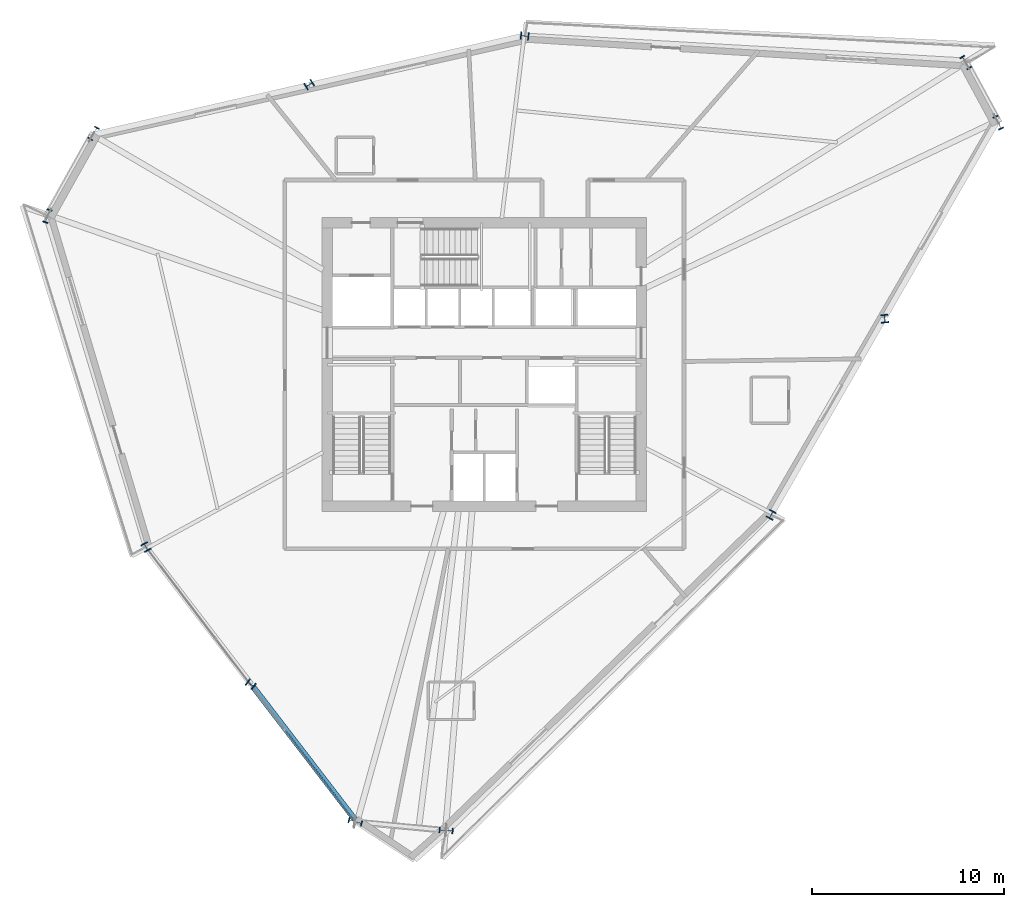
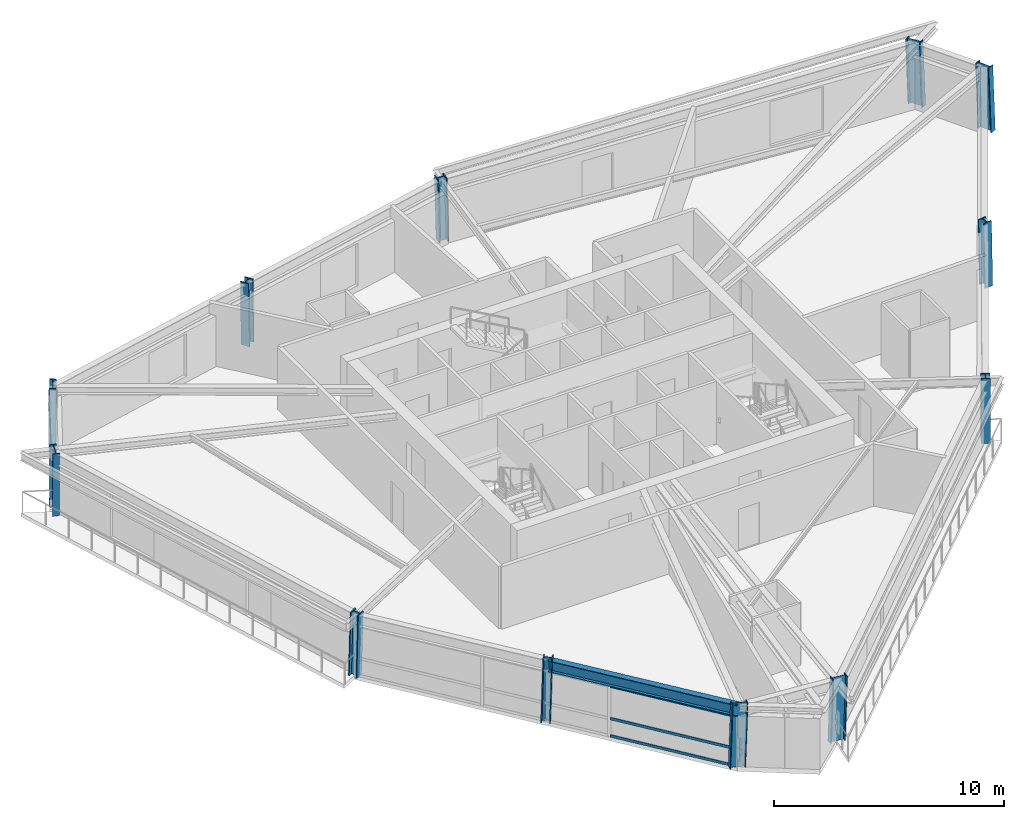
# One storey, part 1 of 14: 12 columns, 3 members, 1 beam, 1 element without a shape of its own.
"""IFC4 building model written with IfcOpenShell, lengths in metres."""

from ifc_helpers import new_model, si_unit, direction, frame, origin, origin_2d, place, context, subcontext, project, spatial, hollow_rectangle, i_section, extrude, source, transform, mapped, material, material_profile, profile_set, type_object, element, aggregate, save


model = new_model("IFC4")

# Units and contexts
model_context = context("Model", 3, precision=1e-05, world=origin(), true_north=direction((0.0, 1.0)))
body_context = subcontext(model_context, "Body", "Model", "MODEL_VIEW")
ifc_project = project(units=[si_unit("LENGTHUNIT", "METRE"), si_unit("AREAUNIT", "SQUARE_METRE"), si_unit("VOLUMEUNIT", "CUBIC_METRE"), si_unit("PLANEANGLEUNIT", "RADIAN"), si_unit("MASSUNIT", "GRAM", prefix="KILO")], contexts=[model_context])

# Site, building, storey
site_placement = place(None, origin())
site = spatial("IfcSite", under=ifc_project, at=site_placement, CompositionType="ELEMENT")
building_placement = place(site_placement, origin())
building = spatial("IfcBuilding", under=site, at=building_placement, Name="Olszyna Solenne Hotel", CompositionType="ELEMENT")
storey_placement = place(building_placement, frame((0.0, 0.0, 153.699951171875)))
storey = spatial("IfcBuildingStorey", under=building, at=storey_placement, Name="L40", CompositionType="ELEMENT", Elevation=153.699951171875)

# Columns
ifc_material_1 = material(Name="Steel S460M", Category="steel")
ifc_material_profile_1 = material_profile(ifc_material_1, i_section(OverallWidth=0.303955078125, OverallDepth=0.716064453125, WebThickness=0.02099609375, FlangeThickness=0.0400390625, at=origin_2d()), Name="HEM 700", Category="load-bearing")
ifc_profile_set_1 = profile_set([ifc_material_profile_1], Name="Steel S460M")
column_type_1 = type_object("IfcColumnType", Name="COL-K2", PredefinedType="COLUMN", material=ifc_profile_set_1)
shared_shape_1 = source(origin(), body_context, "Body", "SweptSolid", [
    extrude(i_section(OverallWidth=0.303955078125, OverallDepth=0.716064453125, WebThickness=0.02099609375, FlangeThickness=0.0400390625, at=origin_2d()), origin(), (0.0, 0.0, 1.0), 3.38671875),
])
for number, where, z_axis, x_axis, name in (
    (1, (15.24853515625, 34.34521484375, 0.0), (-0.0098762592, -0.029340419668, 0.999520684767), (0.947747735275, -0.319020736444, 0.0), "Perimeter framed-tube column COL-K2 C-L40-06"),
    (2, (31.2568359375, 2.79296875, 0.0), (0.030709224628, -0.008578398429, 0.99949154804), (0.26904285575, 0.9631282063, 0.0), "Perimeter framed-tube column COL-K2 C-L40-09"),
    (3, (35.986083984375, 2.33349609375, 0.0), (0.031286415986, -0.002523098063, 0.999507275687), (0.08038418992, 0.996763955012, 0.0), "Perimeter framed-tube column COL-K2 C-L40-10"),
):
    element("IfcColumn", number, at=place(storey_placement, frame(where, z_axis=z_axis, x_axis=x_axis)), inside=storey, type_object=column_type_1, Name=name, PredefinedType="COLUMN", context=body_context, shape_type="MappedRepresentation", body=[
        mapped(shared_shape_1, transform((0.0, 0.0, 0.0), x_axis=(1.0, 0.0, 0.0), y_axis=(0.0, 1.0, 0.0), z_axis=(0.0, 0.0, 1.0), scale=1.0)),
    ])
shared_shape_2 = source(origin(), body_context, "Body", "SweptSolid", [
    extrude(i_section(OverallWidth=0.303955078125, OverallDepth=0.716064453125, WebThickness=0.02099609375, FlangeThickness=0.0400390625, at=origin_2d()), origin(), (0.0, 0.0, 1.0), 3.387451171875),
])
for number, where, z_axis, x_axis, name in (
    (4, (64.7685546875, 39.1728515625, 0.0), (-0.016288196913, 0.034450257187, 0.999273673435), (-0.904045691381, -0.427435828979, 0.0), "Perimeter framed-tube column COL-K2 C-L40-01"),
    (5, (63.081298828125, 42.306396484375, 0.0), (-0.020324175047, 0.032288051138, 0.999271939795), (-0.846295926314, -0.53271306076, 0.0), "Perimeter framed-tube column COL-K2 C-L40-02"),
):
    element("IfcColumn", number, at=place(storey_placement, frame(where, z_axis=z_axis, x_axis=x_axis)), inside=storey, type_object=column_type_1, Name=name, PredefinedType="COLUMN", context=body_context, shape_type="MappedRepresentation", body=[
        mapped(shared_shape_2, transform((0.0, 0.0, 0.0), x_axis=(1.0, 0.0, 0.0), y_axis=(0.0, 1.0, 0.0), z_axis=(0.0, 0.0, 1.0), scale=1.0)),
    ])
ifc_material_profile_2 = material_profile(ifc_material_1, i_section(OverallWidth=0.412109375, OverallDepth=0.43505859375, WebThickness=0.031494140625, FlangeThickness=0.050048828125, at=origin_2d()), Name="HD 400x463", Category="load-bearing")
ifc_profile_set_2 = profile_set([ifc_material_profile_2], Name="Steel S460M")
column_type_2 = type_object("IfcColumnType", Name="COL-T3", PredefinedType="COLUMN", material=ifc_profile_set_2)
shared_shape_3 = source(origin(), body_context, "Body", "SweptSolid", [
    extrude(i_section(OverallWidth=0.412109375, OverallDepth=0.43505859375, WebThickness=0.031494140625, FlangeThickness=0.050048828125, at=origin_2d()), origin(), (0.0, 0.0, 1.0), 3.3857421875),
])
for number, where, z_axis, x_axis, name in (
    (6, (40.110107421875, 43.703857421875, 0.0), (-0.022064508815, 0.002667930804, 0.999752989291), (-0.120040692713, -0.992768972165, 0.0), "Perimeter framed-tube column COL-T3 C-L40-03"),
    (7, (28.884521484375, 41.176513671875, 0.0), (-0.01881972752, -0.011825422656, 0.999752958103), (0.532038659979, -0.846720062528, 0.0), "Perimeter framed-tube column COL-T3 C-L40-04"),
    (8, (52.927734375, 18.760498046875, 0.0), (0.010094981333, 0.019252571542, 0.999763686999), (-0.885636687286, 0.464378787341, 0.0), "Perimeter framed-tube column COL-T3 C-L40-11"),
):
    element("IfcColumn", number, at=place(storey_placement, frame(where, z_axis=z_axis, x_axis=x_axis)), inside=storey, type_object=column_type_2, Name=name, PredefinedType="COLUMN", context=body_context, shape_type="MappedRepresentation", body=[
        mapped(shared_shape_3, transform((0.0, 0.0, 0.0), x_axis=(1.0, 0.0, 0.0), y_axis=(0.0, 1.0, 0.0), z_axis=(0.0, 0.0, 1.0), scale=1.0)),
    ])
shared_shape_4 = source(origin(), body_context, "Body", "SweptSolid", [
    extrude(i_section(OverallWidth=0.303955078125, OverallDepth=0.716064453125, WebThickness=0.02099609375, FlangeThickness=0.0400390625, at=origin_2d()), origin(), (0.0, 0.0, 1.0), 3.386474609375),
])
column_placement = place(storey_placement, frame((17.65869140625, 38.64892578125, 0.0), z_axis=(-0.015499468337, -0.026240960347, 0.999535481352), x_axis=(0.861020696429, -0.508569916847, 0.0)))
element("IfcColumn", 9, at=column_placement, inside=storey, type_object=column_type_1, Name="Perimeter framed-tube column COL-K2 C-L40-05", PredefinedType="COLUMN", context=body_context, shape_type="MappedRepresentation", body=[
    mapped(shared_shape_4, transform((0.0, 0.0, 0.0), x_axis=(1.0, 0.0, 0.0), y_axis=(0.0, 1.0, 0.0), z_axis=(0.0, 0.0, 1.0), scale=1.0)),
])
shared_shape_5 = source(origin(), body_context, "Body", "SweptSolid", [
    extrude(i_section(OverallWidth=0.412109375, OverallDepth=0.43505859375, WebThickness=0.031494140625, FlangeThickness=0.050048828125, at=origin_2d()), origin(), (0.0, 0.0, 1.0), 3.38623046875),
])
for number, where, z_axis, x_axis, name in (
    (10, (20.366455078125, 17.104736328125, 0.0), (0.012329094266, -0.022711489437, 0.999666035075), (0.878853431666, 0.477091862904, 0.0), "Perimeter framed-tube column COL-T3 C-L40-07"),
    (11, (25.811767578125, 9.948974609375, 0.0), (0.02148535096, -0.015717471508, 0.999645607595), (0.590423944507, 0.80709328194, 0.0), "Perimeter framed-tube column COL-T3 C-L40-08"),
    (12, (58.84814453125, 28.966796875, 0.0), (-0.00310020374, 0.026820367243, 0.999635461875), (-0.9933855249, -0.114826821427, 0.0), "Perimeter framed-tube column COL-T3 C-L40-12"),
):
    element("IfcColumn", number, at=place(storey_placement, frame(where, z_axis=z_axis, x_axis=x_axis)), inside=storey, type_object=column_type_2, Name=name, PredefinedType="COLUMN", context=body_context, shape_type="MappedRepresentation", body=[
        mapped(shared_shape_5, transform((0.0, 0.0, 0.0), x_axis=(1.0, 0.0, 0.0), y_axis=(0.0, 1.0, 0.0), z_axis=(0.0, 0.0, 1.0), scale=1.0)),
    ])

# Beam
ifc_material_2 = material(Name="Steel S355J2", Category="steel")
ifc_material_profile_3 = material_profile(ifc_material_2, i_section(OverallWidth=0.300048828125, OverallDepth=0.60009765625, WebThickness=0.015380859375, FlangeThickness=0.030029296875, at=origin_2d()), Name="HEB 600", Category="load-bearing")
ifc_profile_set_3 = profile_set([ifc_material_profile_3], Name="Steel S355J2")
beam_type = type_object("IfcBeamType", Name="BM-S2", PredefinedType="BEAM", material=ifc_profile_set_3)
shared_shape_6 = source(origin(), body_context, "Body", "SweptSolid", [
    extrude(i_section(OverallWidth=0.300048828125, OverallDepth=0.60009765625, WebThickness=0.015380859375, FlangeThickness=0.030029296875, at=origin_2d()), origin(), (0.0, 0.0, 1.0), 8.872314453125),
])
beam_placement = place(storey_placement, frame((25.9208984375, 9.84814453125, 3.0), z_axis=(0.609044295192, -0.793136209295, 0.0), x_axis=(0.793136209295, 0.609044295192, 0.0)))
element("IfcBeam", 13, at=beam_placement, inside=storey, type_object=beam_type, Name="Perimeter spandrel beam BM-S2 B-L40-1193", PredefinedType="BEAM", context=body_context, shape_type="MappedRepresentation", body=[
    mapped(shared_shape_6, transform((0.0, 0.0, 0.0), x_axis=(1.0, 0.0, 0.0), y_axis=(0.0, 1.0, 0.0), z_axis=(0.0, 0.0, 1.0), scale=1.0)),
])

# Curtain wall, members
ifc_material_3 = material(Name="Anodised bronze aluminium", Category="aluminium")
curtain_wall_type = type_object("IfcCurtainWallType", Name="CW-SYS-4", PredefinedType="NOTDEFINED", material=ifc_material_3)
curtain_wall_placement = place(storey_placement, origin())
curtain_wall = element("IfcCurtainWall", 14, at=curtain_wall_placement, inside=storey, type_object=curtain_wall_type, Name="Unitised curtain wall CW-SYS-4 CW-L40-01", PredefinedType="NOTDEFINED")
ifc_material_profile_4 = material_profile(ifc_material_3, hollow_rectangle(XDim=0.06494140625, YDim=0.139892578125, WallThickness=0.00390625, at=origin_2d()), Name="TRAN 140x65x4", Category="load-bearing")
ifc_profile_set_4 = profile_set([ifc_material_profile_4], Name="Anodised bronze aluminium")
member_type = type_object("IfcMemberType", Name="CW-T2", PredefinedType="USERDEFINED", material=ifc_profile_set_4)
shared_shape_7 = source(origin(), body_context, "Body", "SweptSolid", [
    extrude(hollow_rectangle(XDim=0.06494140625, YDim=0.139892578125, WallThickness=0.00390625, at=origin_2d()), origin(), (0.0, 0.0, 1.0), 5.89697265625),
])
member_1_placement = place(storey_placement, frame((27.646484375, 7.53759765625, 0.032470703125), z_axis=(0.605562872668, -0.795797466222, 0.0), x_axis=(0.795797466222, 0.605562872668, 0.0)))
member_1 = element("IfcMember", 15, at=member_1_placement, type_object=member_type, Name="Curtain-wall transom CW-T2 CT-L40-01-07", ObjectType="TRANSOM", PredefinedType="USERDEFINED", context=body_context, shape_type="MappedRepresentation", body=[
    mapped(shared_shape_7, transform((0.0, 0.0, 0.0), x_axis=(1.0, 0.0, 0.0), y_axis=(0.0, 1.0, 0.0), z_axis=(0.0, 0.0, 1.0), scale=1.0)),
])
member_2_placement = place(storey_placement, frame((27.646484375, 7.53759765625, 0.949951171875), z_axis=(0.605562872668, -0.795797466222, 0.0), x_axis=(0.795797466222, 0.605562872668, 0.0)))
member_2 = element("IfcMember", 16, at=member_2_placement, type_object=member_type, Name="Curtain-wall transom CW-T2 CT-L40-01-08", ObjectType="TRANSOM", PredefinedType="USERDEFINED", context=body_context, shape_type="MappedRepresentation", body=[
    mapped(shared_shape_7, transform((0.0, 0.0, 0.0), x_axis=(1.0, 0.0, 0.0), y_axis=(0.0, 1.0, 0.0), z_axis=(0.0, 0.0, 1.0), scale=1.0)),
])
member_3_placement = place(storey_placement, frame((27.646484375, 7.53759765625, 2.65966796875), z_axis=(0.605562872668, -0.795797466222, 0.0), x_axis=(0.795797466222, 0.605562872668, 0.0)))
member_3 = element("IfcMember", 17, at=member_3_placement, type_object=member_type, Name="Curtain-wall transom CW-T2 CT-L40-01-09", ObjectType="TRANSOM", PredefinedType="USERDEFINED", context=body_context, shape_type="MappedRepresentation", body=[
    mapped(shared_shape_7, transform((0.0, 0.0, 0.0), x_axis=(1.0, 0.0, 0.0), y_axis=(0.0, 1.0, 0.0), z_axis=(0.0, 0.0, 1.0), scale=1.0)),
])
aggregate(curtain_wall, [member_1, member_2, member_3])

save(model, "model.ifc")
